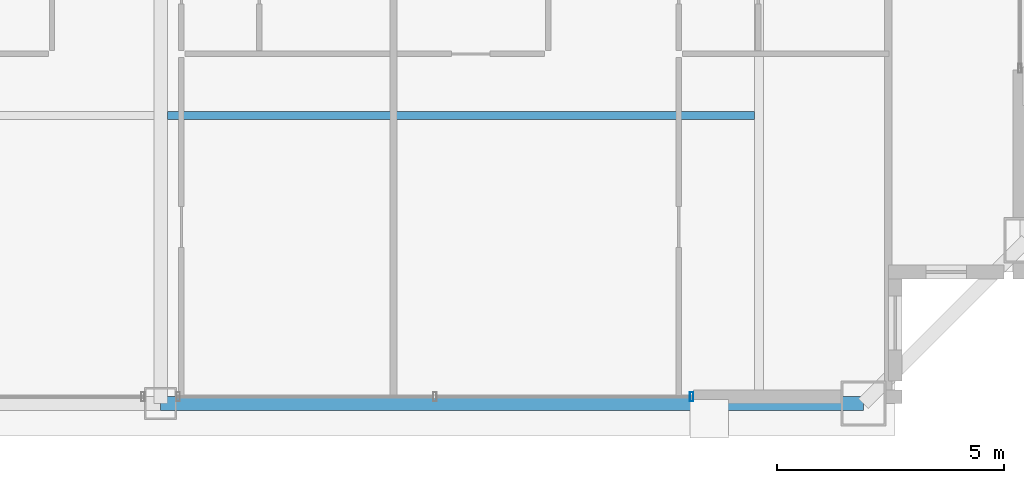
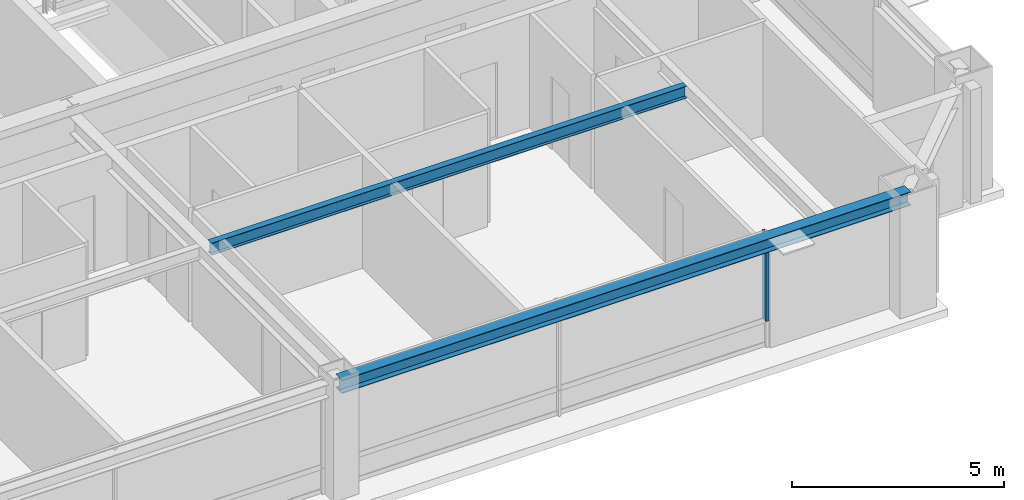
# One storey, part 9 of 35: 2 beams, 1 member, 1 element without a shape of its own.
"""IFC4 building model written with IfcOpenShell, lengths in metres."""

from ifc_helpers import new_model, si_unit, direction, frame, origin, origin_2d, place, context, subcontext, project, spatial, hollow_rectangle, i_section, extrude, source, transform, mapped, material, layer, layer_set, material_profile, profile_set, type_object, element, aggregate, save


model = new_model("IFC4")

# Units and contexts
model_context = context("Model", 3, precision=1e-05, world=origin(), true_north=direction((0.0, 1.0)))
body_context = subcontext(model_context, "Body", "Model", "MODEL_VIEW")
ifc_project = project(units=[si_unit("LENGTHUNIT", "METRE"), si_unit("AREAUNIT", "SQUARE_METRE"), si_unit("VOLUMEUNIT", "CUBIC_METRE"), si_unit("PLANEANGLEUNIT", "RADIAN"), si_unit("MASSUNIT", "GRAM", prefix="KILO"), si_unit("THERMODYNAMICTEMPERATUREUNIT", "KELVIN"), si_unit("POWERUNIT", "WATT")], contexts=[model_context])

# Site, building, storey
site_placement = place(None, origin())
site = spatial("IfcSite", under=ifc_project, at=site_placement, CompositionType="ELEMENT")
building_placement = place(site_placement, origin())
building = spatial("IfcBuilding", under=site, at=building_placement, Name="Yuzanri Waterfront Tower", CompositionType="ELEMENT")
storey_placement = place(building_placement, frame((0.0, 0.0, 311.199951171875)))
storey = spatial("IfcBuildingStorey", under=building, at=storey_placement, Name="L83", CompositionType="ELEMENT", Elevation=311.199951171875)

# Beams
ifc_material_1 = material(Name="Steel Q355B", Category="steel")
ifc_material_profile_1 = material_profile(ifc_material_1, i_section(OverallWidth=0.175048828125, OverallDepth=0.35009765625, WebThickness=0.007080078125, FlangeThickness=0.010986328125, at=origin_2d()), Name="HN 350x175x7x11")
ifc_profile_set_1 = profile_set([ifc_material_profile_1], Name="Steel Q355B")
beam_type_1 = type_object("IfcBeamType", Name="Floor Joist Q355B HN 350x175", PredefinedType="JOIST", material=ifc_profile_set_1)
shared_shape_1 = source(origin(), body_context, "Body", "SweptSolid", [
    extrude(i_section(OverallWidth=0.175048828125, OverallDepth=0.35009765625, WebThickness=0.007080078125, FlangeThickness=0.010986328125, at=origin_2d()), origin(), (0.0, 0.0, 1.0), 12.9501953125),
])
beam_1_placement = place(storey_placement, frame((37.14990234375, 13.050048828125, 3.10498046875), z_axis=(1.0, 0.0, 0.0), x_axis=(0.0, 1.0, 0.0)))
element("IfcBeam", 1, at=beam_1_placement, inside=storey, type_object=beam_type_1, Name="L83 South Bay Joist E", PredefinedType="JOIST", context=body_context, shape_type="MappedRepresentation", body=[
    mapped(shared_shape_1, transform((0.0, 0.0, 0.0), scale=1.0)),
])
ifc_material_2 = material(Name="Steel Q355B", Category="steel")
ifc_material_profile_2 = material_profile(ifc_material_2, i_section(OverallWidth=0.300048828125, OverallDepth=0.389892578125, WebThickness=0.010009765625, FlangeThickness=0.01611328125, at=origin_2d()), Name="HM 390x300x10x16")
ifc_profile_set_2 = profile_set([ifc_material_profile_2], Name="Steel Q355B")
beam_type_2 = type_object("IfcBeamType", Name="Perimeter Spandrel Q355B HM 390x300", PredefinedType="SPANDREL", material=ifc_profile_set_2)
shared_shape_2 = source(origin(), body_context, "Body", "SweptSolid", [
    extrude(i_section(OverallWidth=0.300048828125, OverallDepth=0.389892578125, WebThickness=0.010009765625, FlangeThickness=0.01611328125, at=origin_2d()), origin(), (0.0, 0.0, 1.0), 15.5),
])
beam_2_placement = place(storey_placement, frame((37.0, 6.699951171875, 3.0849609375), z_axis=(1.0, 0.0, 0.0), x_axis=(0.0, 1.0, 0.0)))
element("IfcBeam", 2, at=beam_2_placement, inside=storey, type_object=beam_type_2, Name="L83 Perimeter Spandrel S2-S3", PredefinedType="SPANDREL", context=body_context, shape_type="MappedRepresentation", body=[
    mapped(shared_shape_2, transform((0.0, 0.0, 0.0), scale=1.0)),
])

# Curtain wall, member
ifc_material_3 = material(Name="Anodized Architectural Bronze", Category="metal")
ifc_layer = layer(ifc_material_3, 0.159912109375)
ifc_layer_set = layer_set([ifc_layer], Name="Anodized Architectural Bronze")
curtain_wall_type = type_object("IfcCurtainWallType", Name="Anodized Bronze High-Rise Penthouse High-Wind Unitized Curtain Wall 6900", PredefinedType="NOTDEFINED", material=ifc_layer_set)
curtain_wall_placement = place(storey_placement, origin())
curtain_wall = element("IfcCurtainWall", 3, at=curtain_wall_placement, inside=storey, type_object=curtain_wall_type, Name="L83 Curtain Wall CW-L83-SR", PredefinedType="NOTDEFINED")
ifc_material_4 = material(Name="Anodized Architectural Bronze", Category="metal")
ifc_material_profile_3 = material_profile(ifc_material_4, hollow_rectangle(XDim=0.074951171875, YDim=0.199951171875, WallThickness=0.00390625, at=origin_2d()), Name="CWM 75x200")
ifc_profile_set_3 = profile_set([ifc_material_profile_3], Name="Anodized Architectural Bronze")
member_type = type_object("IfcMemberType", Name="Anodized Bronze Primary Curtain-Wall Mullion 75x200", PredefinedType="MULLION", material=ifc_profile_set_3)
shared_shape_3 = source(origin(), body_context, "Body", "SweptSolid", [
    extrude(hollow_rectangle(XDim=0.074951171875, YDim=0.199951171875, WallThickness=0.00390625, at=origin_2d()), origin(), (0.0, 0.0, 1.0), 2.52392578125),
])
member_placement = place(storey_placement, frame((48.7099609375, 6.85009765625, 0.756103515625), z_axis=(0.0, 0.0, 1.0), x_axis=(1.0, 0.0, 0.0)))
member = element("IfcMember", 4, at=member_placement, type_object=member_type, Name="CW-L83-SR Upper Mullion 02", PredefinedType="MULLION", context=body_context, shape_type="MappedRepresentation", body=[
    mapped(shared_shape_3, transform((0.0, 0.0, 0.0), scale=1.0)),
])
aggregate(curtain_wall, [member])

save(model, "model.ifc")
